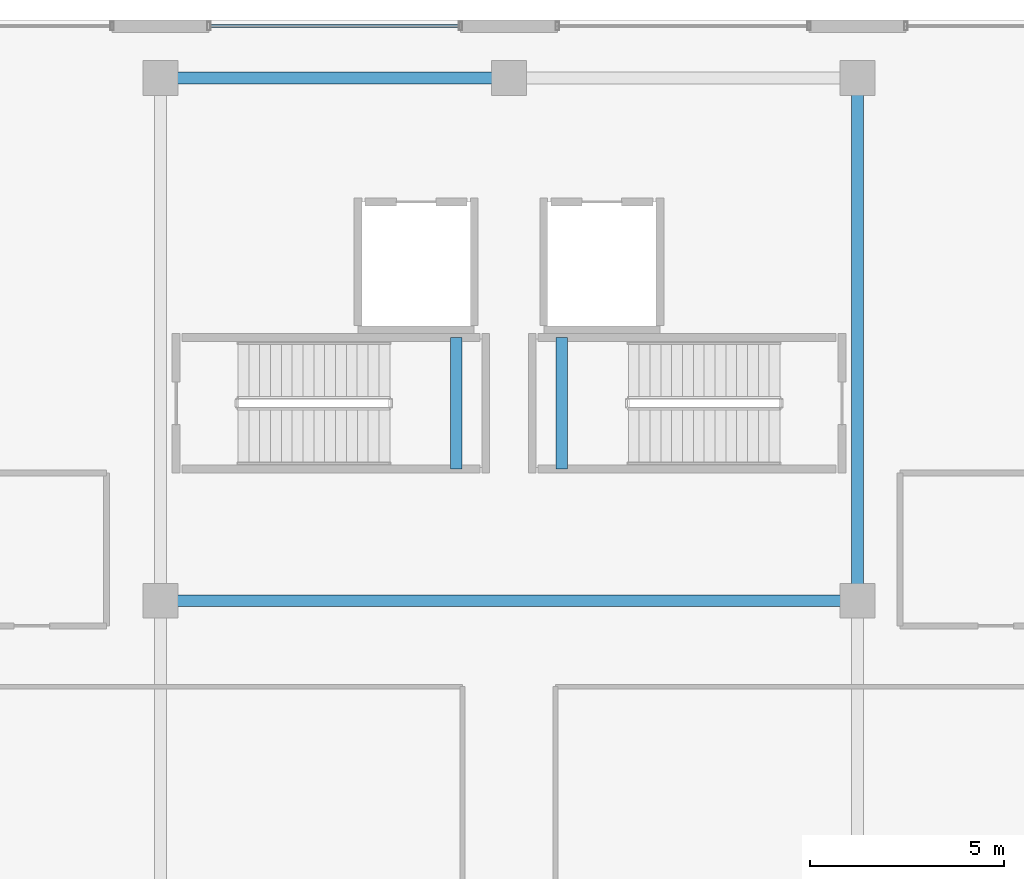
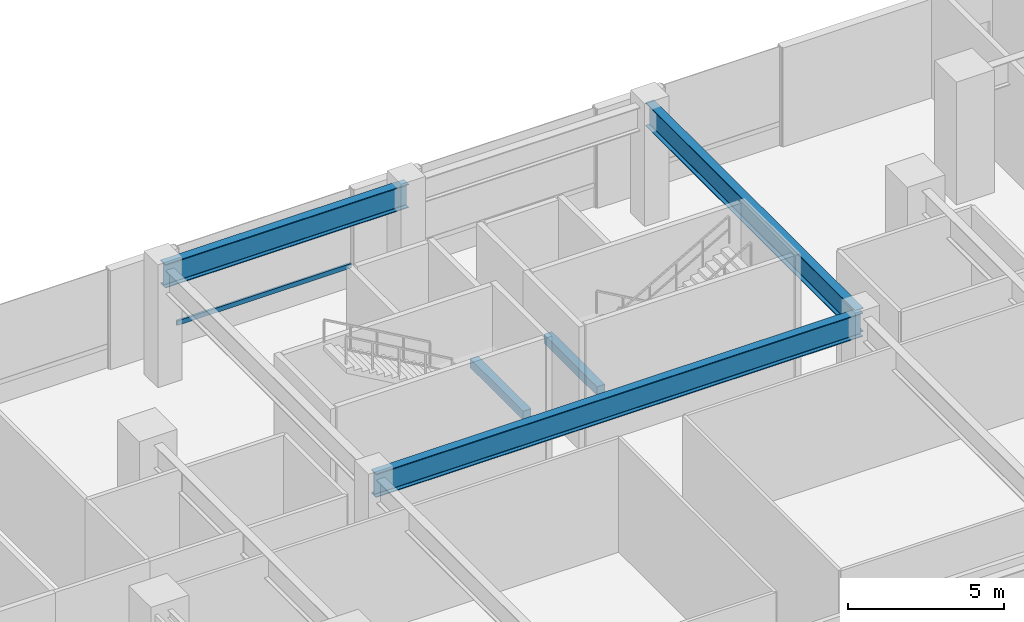
# One storey, part 6 of 24: 5 beams, 1 member, 1 element without a shape of its own.
"""IFC4 building model written with IfcOpenShell, lengths in metres."""

from ifc_helpers import new_model, si_unit, direction, frame, origin, origin_2d, place, context, subcontext, project, spatial, rectangle, hollow_rectangle, i_section, extrude, material, material_profile, profile_set, type_object, element, aggregate, save


model = new_model("IFC4")

# Units and contexts
model_context = context("Model", 3, precision=1e-05, world=origin(), true_north=direction((0.0, 1.0)))
body_context = subcontext(model_context, "Body", "Model", "MODEL_VIEW")
ifc_project = project(units=[si_unit("LENGTHUNIT", "METRE"), si_unit("AREAUNIT", "SQUARE_METRE"), si_unit("VOLUMEUNIT", "CUBIC_METRE"), si_unit("PLANEANGLEUNIT", "RADIAN"), si_unit("MASSUNIT", "GRAM", prefix="KILO")], contexts=[model_context])

# Site, building, storey
site_placement = place(None, origin())
site = spatial("IfcSite", under=ifc_project, at=site_placement, CompositionType="ELEMENT")
building_placement = place(site_placement, origin())
building = spatial("IfcBuilding", under=site, at=building_placement, Name="Thornwick Lancets Civic Towers", CompositionType="ELEMENT")
storey_placement = place(building_placement, origin())
storey = spatial("IfcBuildingStorey", under=building, at=storey_placement, Name="L00", CompositionType="ELEMENT", Elevation=0.0)

# Beams
ifc_material_1 = material(Name="Steel S355JR", Category="steel")
ifc_material_profile_1 = material_profile(ifc_material_1, i_section(OverallWidth=0.3076171875, OverallDepth=0.926513671875, WebThickness=0.01953125, FlangeThickness=0.031982421875, FilletRadius=0.01904296875, at=origin_2d()), Name="UKB 914x305x289")
ifc_profile_set_1 = profile_set([ifc_material_profile_1], Name="Steel S355JR")
beam_type_1 = type_object("IfcBeamType", Name="BM_POD_914_289", PredefinedType="BEAM", material=ifc_profile_set_1)
beam_1_placement = place(storey_placement, frame((48.0, 34.5, 4.0166015625), z_axis=(1.0, 0.0, 0.0), x_axis=(0.0, 1.0, 0.0)))
element("IfcBeam", 1, at=beam_1_placement, inside=storey, type_object=beam_type_1, Name="BM-PODG-L00-15-16", PredefinedType="BEAM", context=body_context, shape_type="SweptSolid", body=[
    extrude(i_section(OverallWidth=0.3076171875, OverallDepth=0.926513671875, WebThickness=0.01953125, FlangeThickness=0.031982421875, FilletRadius=0.01904296875, at=origin_2d()), origin(), (0.0, 0.0, 1.0), 18.0),
])
beam_2_placement = place(storey_placement, frame((66.0, 34.580078125, 4.0166015625), z_axis=(0.0, 1.0, 0.0), x_axis=(-1.0, 0.0, 0.0)))
element("IfcBeam", 2, at=beam_2_placement, inside=storey, type_object=beam_type_1, Name="BM-PODG-L00-16-19", PredefinedType="BEAM", context=body_context, shape_type="SweptSolid", body=[
    extrude(i_section(OverallWidth=0.3076171875, OverallDepth=0.926513671875, WebThickness=0.01953125, FlangeThickness=0.031982421875, FilletRadius=0.01904296875, at=origin_2d()), origin(), (0.0, 0.0, 1.0), 13.419921875),
])
beam_3_placement = place(storey_placement, frame((48.0, 48.0, 4.0166015625), z_axis=(1.0, 0.0, 0.0), x_axis=(0.0, 1.0, 0.0)))
element("IfcBeam", 3, at=beam_3_placement, inside=storey, type_object=beam_type_1, Name="BM-PODG-L00-17-18", PredefinedType="BEAM", context=body_context, shape_type="SweptSolid", body=[
    extrude(i_section(OverallWidth=0.3076171875, OverallDepth=0.926513671875, WebThickness=0.01953125, FlangeThickness=0.031982421875, FilletRadius=0.01904296875, at=origin_2d()), origin(), (0.0, 0.0, 1.0), 9.0),
])
ifc_material_2 = material(Name="Concrete C40/50", Category="concrete")
ifc_material_profile_2 = material_profile(ifc_material_2, rectangle(XDim=0.300048828125, YDim=0.35009765625, at=origin_2d()), Name="RC 300x350")
ifc_profile_set_2 = profile_set([ifc_material_profile_2], Name="Concrete C40/50")
beam_type_2 = type_object("IfcBeamType", Name="BM_STAIR_LDG", PredefinedType="BEAM", material=ifc_profile_set_2)
for number, where, z_axis, x_axis, name in (
    (4, (55.635009765625, 37.89990234375, 1.97802734375), (0.0, 1.0, 0.0), (-1.0, 0.0, 0.0), "L00 ST-P5 Landing Support Beam 1"),
    (5, (58.364990234375, 41.300048828125, 1.97802734375), (0.0, -1.0, 0.0), (1.0, 0.0, 0.0), "L00 ST-P6 Landing Support Beam 1"),
):
    element("IfcBeam", number, at=place(storey_placement, frame(where, z_axis=z_axis, x_axis=x_axis)), inside=storey, type_object=beam_type_2, Name=name, PredefinedType="BEAM", context=body_context, shape_type="SweptSolid", body=[
        extrude(rectangle(XDim=0.300048828125, YDim=0.35009765625, at=origin_2d()), origin(), (0.0, 0.0, 1.0), 3.400146484375),
    ])

# Curtain wall, member
ifc_material_3 = material(Name="Bronze aluminium Gothic lancet podium curtain wall", Category="aluminium")
curtain_wall_type = type_object("IfcCurtainWallType", Name="CW_SYS_01", PredefinedType="NOTDEFINED", material=ifc_material_3)
curtain_wall_placement = place(storey_placement, origin())
curtain_wall = element("IfcCurtainWall", 6, at=curtain_wall_placement, inside=storey, type_object=curtain_wall_type, Name="L00 Curtain Wall CW-L00-POD-NC-S3", PredefinedType="NOTDEFINED")
ifc_material_4 = material(Name="Thermally broken bronze aluminium S355", Category="steel")
ifc_material_profile_3 = material_profile(ifc_material_4, hollow_rectangle(XDim=0.074951171875, YDim=0.179931640625, WallThickness=0.006103515625, at=origin_2d()), Name="RHS 180x75x6")
ifc_profile_set_3 = profile_set([ifc_material_profile_3], Name="Thermally broken bronze aluminium S355")
member_type = type_object("IfcMemberType", Name="CW_TRN_180", PredefinedType="USERDEFINED", material=ifc_profile_set_3)
member_placement = place(storey_placement, frame((55.72998046875, 49.340087890625, 0.85009765625), z_axis=(-1.0, 0.0, 0.0), x_axis=(0.0, -1.0, 0.0)))
member = element("IfcMember", 7, at=member_placement, type_object=member_type, Name="CW-L00-POD-NC-S3 Transom 0", ObjectType="TRANSOM", PredefinedType="USERDEFINED", context=body_context, shape_type="SweptSolid", body=[
    extrude(hollow_rectangle(XDim=0.074951171875, YDim=0.179931640625, WallThickness=0.006103515625, at=origin_2d()), origin(), (0.0, 0.0, 1.0), 6.4599609375),
])
aggregate(curtain_wall, [member])

save(model, "model.ifc")
